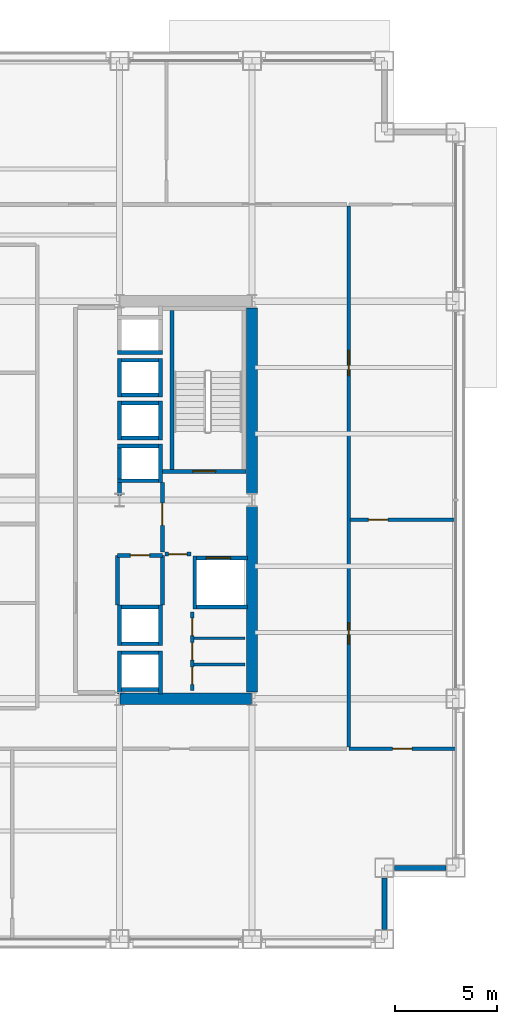
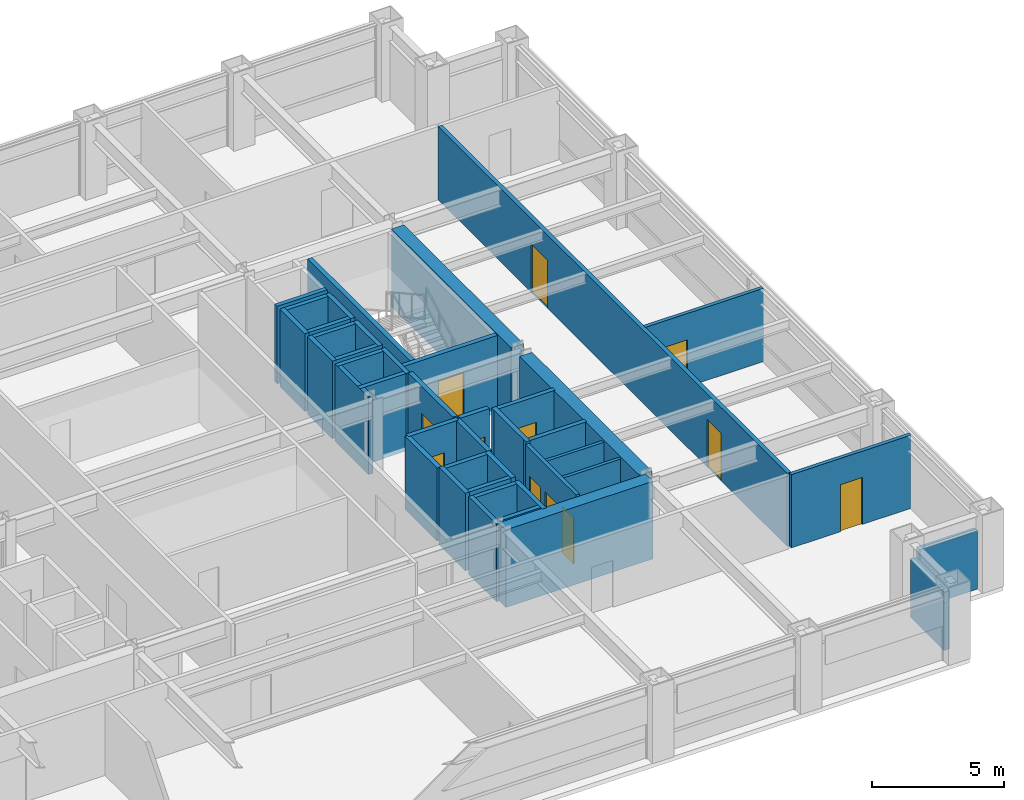
# One storey, part 26 of 28: 42 walls, 12 doors, 12 openings.
"""IFC4 building model written with IfcOpenShell, lengths in metres."""

from ifc_helpers import new_model, si_unit, direction, frame, frame_2d, origin, place, context, subcontext, project, spatial, rectangle, extrude, material, layer, layer_set, type_object, element, fill, save


model = new_model("IFC4")

# Units and contexts
model_context = context("Model", 3, precision=1e-05, world=origin(), true_north=direction((0.0, 1.0)))
body_context = subcontext(model_context, "Body", "Model", "MODEL_VIEW")
ifc_project = project(units=[si_unit("LENGTHUNIT", "METRE"), si_unit("AREAUNIT", "SQUARE_METRE"), si_unit("VOLUMEUNIT", "CUBIC_METRE"), si_unit("PLANEANGLEUNIT", "RADIAN"), si_unit("MASSUNIT", "GRAM", prefix="KILO")], contexts=[model_context])

# Site, building, storey
site_placement = place(None, origin())
site = spatial("IfcSite", under=ifc_project, at=site_placement, CompositionType="ELEMENT")
building_placement = place(site_placement, origin())
building = spatial("IfcBuilding", under=site, at=building_placement, Name="Brelmoor Portico Tower", CompositionType="ELEMENT")
storey_placement = place(building_placement, frame((0.0, 0.0, 49.199951171875)))
storey = spatial("IfcBuildingStorey", under=building, at=storey_placement, Name="L12", CompositionType="ELEMENT", Elevation=49.199951171875)

# Walls
ifc_material_1 = material(Name="Concrete C60", Category="concrete")
ifc_layer_1 = layer(ifc_material_1, 0.550048828125)
ifc_layer_set_1 = layer_set([ifc_layer_1], Name="Concrete C60")
wall_type_1 = type_object("IfcWallType", Name="WL-CORE-550", PredefinedType="SHEAR", material=ifc_layer_set_1)
wall_1_placement = place(storey_placement, frame((8.070068359375, -9.75, -0.199951171875), z_axis=(0.0, 0.0, 1.0), x_axis=(1.0, 0.0, 0.0)))
element("IfcWall", 1, at=wall_1_placement, inside=storey, type_object=wall_type_1, Name="L12 EC South Shear Wall", PredefinedType="SHEAR", context=body_context, shape_type="SweptSolid", body=[
    extrude(rectangle(XDim=6.4599609375, YDim=0.550048828125, at=frame_2d((3.22998046875, 0.0))), origin(), (0.0, 0.0, 1.0), 3.60009765625),
])
for number, where, z_axis, x_axis, name in (
    (2, (14.550048828125, -9.425048828125, -0.199951171875), (0.0, 0.0, 1.0), (0.0, 1.0, 0.0), "L12 EC Outer South Shear Wall"),
    (3, (14.550048828125, 0.324951171875, -0.199951171875), (0.0, 0.0, 1.0), (0.0, 1.0, 0.0), "L12 EC Outer North Shear Wall"),
):
    element("IfcWall", number, at=place(storey_placement, frame(where, z_axis=z_axis, x_axis=x_axis)), inside=storey, type_object=wall_type_1, Name=name, PredefinedType="SHEAR", context=body_context, shape_type="SweptSolid", body=[
        extrude(rectangle(XDim=9.10009765625, YDim=0.550048828125, at=frame_2d((4.550048828125, 0.0))), origin(), (0.0, 0.0, 1.0), 3.60009765625),
    ])
ifc_material_2 = material(Name="Precast Concrete C40 Insulated Facade Wall", Category="concrete")
ifc_layer_2 = layer(ifc_material_2, 0.25)
ifc_layer_set_2 = layer_set([ifc_layer_2], Name="Precast Concrete C40 Insulated Facade Wall")
wall_type_2 = type_object("IfcWallType", Name="WL-EXT-250", PredefinedType="STANDARD", material=ifc_layer_set_2)
for number, where, z_axis, x_axis, name in (
    (4, (21.534912109375, -18.050048828125, 0.0), (0.0, 0.0, 1.0), (1.0, 0.0, 0.0), "L12 Corner Notch Facade Wall NSEH1"),
    (5, (21.050048828125, -21.06494140625, 0.0), (0.0, 0.0, 1.0), (0.0, 1.0, 0.0), "L12 Corner Notch Facade Wall NSEV1"),
):
    element("IfcWall", number, at=place(storey_placement, frame(where, z_axis=z_axis, x_axis=x_axis)), inside=storey, type_object=wall_type_2, Name=name, PredefinedType="STANDARD", context=body_context, shape_type="SweptSolid", body=[
        extrude(rectangle(XDim=2.530029296875, YDim=0.25, at=frame_2d((1.26513671875, 0.0))), origin(), (0.0, 0.0, 1.0), 2.699951171875),
    ])
ifc_material_3 = material(Name="Insulated Stud Suite Partition", Category="gypsum")
ifc_layer_3 = layer(ifc_material_3, 0.139892578125)
ifc_layer_set_3 = layer_set([ifc_layer_3], Name="Insulated Stud Suite Partition")
wall_type_3 = type_object("IfcWallType", Name="WL-PART-140", PredefinedType="PARTITIONING", material=ifc_layer_set_3)
for number, where, z_axis, x_axis, name in (
    (6, (11.699951171875, -8.066650390625, 0.0), (0.0, 0.0, 1.0), (1.0, 0.0, 0.0), "L12 E Core WC Divider 1"),
    (7, (11.699951171875, -6.783203125, 0.0), (0.0, 0.0, 1.0), (1.0, 0.0, 0.0), "L12 E Core WC Divider 2"),
):
    element("IfcWall", number, at=place(storey_placement, frame(where, z_axis=z_axis, x_axis=x_axis)), inside=storey, type_object=wall_type_3, Name=name, PredefinedType="PARTITIONING", context=body_context, shape_type="SweptSolid", body=[
        extrude(rectangle(XDim=2.5, YDim=0.139892578125, at=frame_2d((1.25, 0.0))), origin(), (0.0, 0.0, 1.0), 3.400146484375),
    ])

# Wall, openings, doors
ifc_material_4 = material(Name="Twin-Frame Acoustic Partition", Category="gypsum")
ifc_layer_4 = layer(ifc_material_4, 0.159912109375)
ifc_layer_set_4 = layer_set([ifc_layer_4], Name="Twin-Frame Acoustic Partition")
wall_type_4 = type_object("IfcWallType", Name="WL-PART-160", PredefinedType="PARTITIONING", material=ifc_layer_set_4)
wall_2_placement = place(storey_placement, frame((11.6201171875, -9.35009765625, 0.0), z_axis=(0.0, 0.0, 1.0), x_axis=(0.0, 1.0, 0.0)))
wall_2 = element("IfcWall", 8, at=wall_2_placement, inside=storey, type_object=wall_type_4, Name="L12 E Core Service Front Wall", PredefinedType="PARTITIONING", context=body_context, shape_type="SweptSolid", body=[
    extrude(rectangle(XDim=3.85009765625, YDim=0.159912109375, at=frame_2d((1.925048828125, 0.0))), origin(), (0.0, 0.0, 1.0), 3.400146484375),
])
opening_1_placement = place(wall_2_placement, frame((0.300048828125, 0.0, 0.0)))
opening_1 = element("IfcOpeningElement", 9, at=opening_1_placement, cuts=wall_2, Name="Opening D-WC1", PredefinedType="OPENING", context=body_context, shape_type="SweptSolid", body=[
    extrude(rectangle(XDim=0.85009765625, YDim=2.1201171875, at=frame_2d((0.425048828125, 1.06005859375))), frame((0.0, 0.08984375, 0.0), z_axis=(0.0, -1.0, 0.0), x_axis=(1.0, 0.0, 0.0)), (0.0, 0.0, 1.0), 0.179931640625),
])
opening_2_placement = place(wall_2_placement, frame((1.5, 0.0, 0.0)))
opening_2 = element("IfcOpeningElement", 10, at=opening_2_placement, cuts=wall_2, Name="Opening D-WC1", PredefinedType="OPENING", context=body_context, shape_type="SweptSolid", body=[
    extrude(rectangle(XDim=0.85009765625, YDim=2.1201171875, at=frame_2d((0.425048828125, 1.06005859375))), frame((0.0, 0.08984375, 0.0), z_axis=(0.0, -1.0, 0.0), x_axis=(1.0, 0.0, 0.0)), (0.0, 0.0, 1.0), 0.179931640625),
])
opening_3_placement = place(wall_2_placement, frame((2.699951171875, 0.0, 0.0)))
opening_3 = element("IfcOpeningElement", 11, at=opening_3_placement, cuts=wall_2, Name="Opening D-WC1", PredefinedType="OPENING", context=body_context, shape_type="SweptSolid", body=[
    extrude(rectangle(XDim=0.85009765625, YDim=2.1201171875, at=frame_2d((0.425048828125, 1.06005859375))), frame((0.0, 0.08984375, 0.0), z_axis=(0.0, -1.0, 0.0), x_axis=(1.0, 0.0, 0.0)), (0.0, 0.0, 1.0), 0.179931640625),
])
ifc_material_5 = material(Name="Moisture-Resistant Laminate WC Door", Category="timber")
door_type_1 = type_object("IfcDoorType", Name="DR-WC-850", OperationType="NOTDEFINED", PredefinedType="DOOR", material=ifc_material_5)
door_1_placement = place(opening_1_placement, origin())
door_1 = element("IfcDoor", 12, at=door_1_placement, inside=storey, type_object=door_type_1, Name="D-0531 L12 E Male WC Door", OperationType="SINGLE_SWING_RIGHT", OverallHeight=2.1201171875, OverallWidth=0.85009765625, PredefinedType="DOOR", context=body_context, shape_type="SweptSolid", body=[
    extrude(rectangle(XDim=0.85009765625, YDim=2.1201171875, at=frame_2d((0.425048828125, 1.06005859375))), frame((0.0, 0.02490234375, 0.0), z_axis=(0.0, -1.0, 0.0), x_axis=(1.0, 0.0, 0.0)), (0.0, 0.0, 1.0), 0.050048828125),
])
fill(opening_1, door_1)
door_2_placement = place(opening_2_placement, origin())
door_2 = element("IfcDoor", 13, at=door_2_placement, inside=storey, type_object=door_type_1, Name="D-0532 L12 E Female WC Door", OperationType="SINGLE_SWING_LEFT", OverallHeight=2.1201171875, OverallWidth=0.85009765625, PredefinedType="DOOR", context=body_context, shape_type="SweptSolid", body=[
    extrude(rectangle(XDim=0.85009765625, YDim=2.1201171875, at=frame_2d((0.425048828125, 1.06005859375))), frame((0.0, 0.02490234375, 0.0), z_axis=(0.0, -1.0, 0.0), x_axis=(1.0, 0.0, 0.0)), (0.0, 0.0, 1.0), 0.050048828125),
])
fill(opening_2, door_2)
door_3_placement = place(opening_3_placement, origin())
door_3 = element("IfcDoor", 14, at=door_3_placement, inside=storey, type_object=door_type_1, Name="D-0533 L12 E Janitor Store Door", OperationType="SINGLE_SWING_RIGHT", OverallHeight=2.1201171875, OverallWidth=0.85009765625, PredefinedType="DOOR", context=body_context, shape_type="SweptSolid", body=[
    extrude(rectangle(XDim=0.85009765625, YDim=2.1201171875, at=frame_2d((0.425048828125, 1.06005859375))), frame((0.0, 0.02490234375, 0.0), z_axis=(0.0, -1.0, 0.0), x_axis=(1.0, 0.0, 0.0)), (0.0, 0.0, 1.0), 0.050048828125),
])
fill(opening_3, door_3)

# Wall, opening, door
wall_3_placement = place(storey_placement, frame((19.300048828125, -12.199951171875, 0.0), z_axis=(0.0, 0.0, 1.0), x_axis=(1.0, 0.0, 0.0)))
wall_3 = element("IfcWall", 15, at=wall_3_placement, inside=storey, type_object=wall_type_4, Name="L12 South Outer Closure ER", PredefinedType="PARTITIONING", context=body_context, shape_type="SweptSolid", body=[
    extrude(rectangle(XDim=5.260009765625, YDim=0.159912109375, at=frame_2d((2.6298828125, 0.0))), origin(), (0.0, 0.0, 1.0), 3.400146484375),
])
opening_4_placement = place(wall_3_placement, frame((2.14990234375, 0.0, 0.0)))
opening_4 = element("IfcOpeningElement", 16, at=opening_4_placement, cuts=wall_3, Name="Opening D-IN2", PredefinedType="OPENING", context=body_context, shape_type="SweptSolid", body=[
    extrude(rectangle(XDim=0.9599609375, YDim=2.179931640625, at=frame_2d((0.47998046875, 1.08984375))), frame((0.0, 0.08984375, 0.0), z_axis=(0.0, -1.0, 0.0), x_axis=(1.0, 0.0, 0.0)), (0.0, 0.0, 1.0), 0.179931640625),
])
ifc_material_6 = material(Name="Lacquered Timber Suite Door", Category="wood")
door_type_2 = type_object("IfcDoorType", Name="DR-INT-950", OperationType="NOTDEFINED", PredefinedType="DOOR", material=ifc_material_6)
door_4_placement = place(opening_4_placement, origin())
door_4 = element("IfcDoor", 17, at=door_4_placement, inside=storey, type_object=door_type_2, Name="D-0559 L12 ER South Corner Suite Door", OperationType="SINGLE_SWING_RIGHT", OverallHeight=2.179931640625, OverallWidth=0.9599609375, PredefinedType="DOOR", context=body_context, shape_type="SweptSolid", body=[
    extrude(rectangle(XDim=0.9599609375, YDim=2.179931640625, at=frame_2d((0.47998046875, 1.08984375))), frame((0.0, 0.02490234375, 0.0), z_axis=(0.0, -1.0, 0.0), x_axis=(1.0, 0.0, 0.0)), (0.0, 0.0, 1.0), 0.050048828125),
])
fill(opening_4, door_4)

wall_4_placement = place(storey_placement, frame((19.360107421875, -0.97314453125, 0.0), z_axis=(0.0, 0.0, 1.0), x_axis=(1.0, 0.0, 0.0)))
wall_4 = element("IfcWall", 18, at=wall_4_placement, inside=storey, type_object=wall_type_4, Name="L12 E Wing Partition 1", PredefinedType="PARTITIONING", context=body_context, shape_type="SweptSolid", body=[
    extrude(rectangle(XDim=5.199951171875, YDim=0.159912109375, at=frame_2d((2.60009765625, 0.0))), origin(), (0.0, 0.0, 1.0), 3.400146484375),
])
opening_5_placement = place(wall_4_placement, frame((0.89990234375, 0.0, 0.0)))
opening_5 = element("IfcOpeningElement", 19, at=opening_5_placement, cuts=wall_4, Name="Opening D-IN2", PredefinedType="OPENING", context=body_context, shape_type="SweptSolid", body=[
    extrude(rectangle(XDim=0.9599609375, YDim=2.179931640625, at=frame_2d((0.47998046875, 1.08984375))), frame((0.0, 0.08984375, 0.0), z_axis=(0.0, -1.0, 0.0), x_axis=(1.0, 0.0, 0.0)), (0.0, 0.0, 1.0), 0.179931640625),
])
door_5_placement = place(opening_5_placement, origin())
door_5 = element("IfcDoor", 20, at=door_5_placement, inside=storey, type_object=door_type_2, Name="D-0563 L12 E Wing Suite Connecting Door 1", OperationType="SINGLE_SWING_LEFT", OverallHeight=2.179931640625, OverallWidth=0.9599609375, PredefinedType="DOOR", context=body_context, shape_type="SweptSolid", body=[
    extrude(rectangle(XDim=0.9599609375, YDim=2.179931640625, at=frame_2d((0.47998046875, 1.08984375))), frame((0.0, 0.02490234375, 0.0), z_axis=(0.0, -1.0, 0.0), x_axis=(1.0, 0.0, 0.0)), (0.0, 0.0, 1.0), 0.050048828125),
])
fill(opening_5, door_5)

# Wall, openings, doors
ifc_material_7 = material(Name="Acoustic Corridor Fire Partition", Category="gypsum")
ifc_layer_5 = layer(ifc_material_7, 0.179931640625)
ifc_layer_set_5 = layer_set([ifc_layer_5], Name="Acoustic Corridor Fire Partition")
wall_type_5 = type_object("IfcWallType", Name="WL-PART-180", PredefinedType="PARTITIONING", material=ifc_layer_set_5)
wall_5_placement = place(storey_placement, frame((19.300048828125, -12.1201171875, 0.0), z_axis=(0.0, 0.0, 1.0), x_axis=(0.0, 1.0, 0.0)))
wall_5 = element("IfcWall", 21, at=wall_5_placement, inside=storey, type_object=wall_type_5, Name="L12 E Wing Corridor Wall", PredefinedType="PARTITIONING", context=body_context, shape_type="SweptSolid", body=[
    extrude(rectangle(XDim=26.5400390625, YDim=0.179931640625, at=frame_2d((13.27001953125, 0.0))), origin(), (0.0, 0.0, 1.0), 3.400146484375),
])
opening_6_placement = place(wall_5_placement, frame((5.04345703125, 0.0, 0.0)))
opening_6 = element("IfcOpeningElement", 22, at=opening_6_placement, cuts=wall_5, Name="Opening D-OF2", PredefinedType="OPENING", context=body_context, shape_type="SweptSolid", body=[
    extrude(rectangle(XDim=1.06005859375, YDim=2.199951171875, at=frame_2d((0.530029296875, 1.10009765625))), frame((0.0, 0.099853515625, 0.0), z_axis=(0.0, -1.0, 0.0), x_axis=(1.0, 0.0, 0.0)), (0.0, 0.0, 1.0), 0.199951171875),
])
opening_7_placement = place(wall_5_placement, frame((18.223388671875, 0.0, 0.0)))
opening_7 = element("IfcOpeningElement", 23, at=opening_7_placement, cuts=wall_5, Name="Opening D-SU1", PredefinedType="OPENING", context=body_context, shape_type="SweptSolid", body=[
    extrude(rectangle(XDim=1.239990234375, YDim=2.239990234375, at=frame_2d((0.6201171875, 1.1201171875))), frame((0.0, 0.099853515625, 0.0), z_axis=(0.0, -1.0, 0.0), x_axis=(1.0, 0.0, 0.0)), (0.0, 0.0, 1.0), 0.199951171875),
])
ifc_material_8 = material(Name="Hardwood Acoustic Veneer Door", Category="wood")
door_type_3 = type_object("IfcDoorType", Name="DR-OFFICE-1050", OperationType="NOTDEFINED", PredefinedType="DOOR", material=ifc_material_8)
door_6_placement = place(opening_6_placement, origin())
door_6 = element("IfcDoor", 24, at=door_6_placement, inside=storey, type_object=door_type_3, Name="D-0561 L12 E Executive Study 1 Door", OperationType="SINGLE_SWING_RIGHT", OverallHeight=2.199951171875, OverallWidth=1.06005859375, PredefinedType="DOOR", context=body_context, shape_type="SweptSolid", body=[
    extrude(rectangle(XDim=1.06005859375, YDim=2.199951171875, at=frame_2d((0.530029296875, 1.10009765625))), frame((0.0, 0.02490234375, 0.0), z_axis=(0.0, -1.0, 0.0), x_axis=(1.0, 0.0, 0.0)), (0.0, 0.0, 1.0), 0.050048828125),
])
fill(opening_6, door_6)
ifc_material_9 = material(Name="Glazed Timber Executive Suite Door", Category="wood")
door_type_4 = type_object("IfcDoorType", Name="DR-SUITE-1200", OperationType="NOTDEFINED", PredefinedType="DOOR", material=ifc_material_9)
door_7_placement = place(opening_7_placement, origin())
door_7 = element("IfcDoor", 25, at=door_7_placement, inside=storey, type_object=door_type_4, Name="D-0562 L12 E Partner Office 2 Door", OperationType="SINGLE_SWING_LEFT", OverallHeight=2.239990234375, OverallWidth=1.239990234375, PredefinedType="DOOR", context=body_context, shape_type="SweptSolid", body=[
    extrude(rectangle(XDim=1.239990234375, YDim=2.239990234375, at=frame_2d((0.6201171875, 1.1201171875))), frame((0.0, 0.02490234375, 0.0), z_axis=(0.0, -1.0, 0.0), x_axis=(1.0, 0.0, 0.0)), (0.0, 0.0, 1.0), 0.050048828125),
])
fill(opening_7, door_7)

# Wall, opening, door
ifc_material_10 = material(Name="Double-Stud Gypsum Fire Partition", Category="gypsum")
ifc_layer_6 = layer(ifc_material_10, 0.199951171875)
ifc_layer_set_6 = layer_set([ifc_layer_6], Name="Double-Stud Gypsum Fire Partition")
wall_type_6 = type_object("IfcWallType", Name="WL-PART-200", PredefinedType="PARTITIONING", material=ifc_layer_set_6)
wall_6_placement = place(storey_placement, frame((10.159912109375, -2.550048828125, 0.0), z_axis=(0.0, 0.0, 1.0), x_axis=(0.0, 1.0, 0.0)))
wall_6 = element("IfcWall", 26, at=wall_6_placement, inside=storey, type_object=wall_type_6, Name="L12 E Firefighting Lobby Wall", PredefinedType="PARTITIONING", context=body_context, shape_type="SweptSolid", body=[
    extrude(rectangle(XDim=3.400146484375, YDim=0.199951171875, at=frame_2d((1.7001953125, 0.0))), origin(), (0.0, 0.0, 1.0), 3.400146484375),
])
opening_8_placement = place(wall_6_placement, frame((1.300048828125, 0.0, 0.0)))
opening_8 = element("IfcOpeningElement", 27, at=opening_8_placement, cuts=wall_6, Name="Opening D-FR1", PredefinedType="OPENING", context=body_context, shape_type="SweptSolid", body=[
    extrude(rectangle(XDim=1.10009765625, YDim=2.14990234375, at=frame_2d((0.550048828125, 1.074951171875))), frame((0.0, 0.10986328125, 0.0), z_axis=(0.0, -1.0, 0.0), x_axis=(1.0, 0.0, 0.0)), (0.0, 0.0, 1.0), 0.219970703125),
])
ifc_material_11 = material(Name="Painted Galvanised Steel Fire Door", Category="steel")
door_type_5 = type_object("IfcDoorType", Name="DR-FIRE-1100", OperationType="NOTDEFINED", PredefinedType="DOOR", material=ifc_material_11)
door_8_placement = place(opening_8_placement, origin())
door_8 = element("IfcDoor", 28, at=door_8_placement, inside=storey, type_object=door_type_5, Name="D-0539 L12 E Firefighting Lobby Door", OperationType="SINGLE_SWING_LEFT", OverallHeight=2.14990234375, OverallWidth=1.10009765625, PredefinedType="DOOR", context=body_context, shape_type="SweptSolid", body=[
    extrude(rectangle(XDim=1.10009765625, YDim=2.14990234375, at=frame_2d((0.550048828125, 1.074951171875))), frame((0.0, 0.02490234375, 0.0), z_axis=(0.0, -1.0, 0.0), x_axis=(1.0, 0.0, 0.0)), (0.0, 0.0, 1.0), 0.050048828125),
])
fill(opening_8, door_8)

wall_7_placement = place(storey_placement, frame((10.280029296875, -2.64990234375, 0.0), z_axis=(0.0, 0.0, 1.0), x_axis=(1.0, 0.0, 0.0)))
wall_7 = element("IfcWall", 29, at=wall_7_placement, inside=storey, type_object=wall_type_6, Name="L12 E Firefighting Lobby South Wall", PredefinedType="PARTITIONING", context=body_context, shape_type="SweptSolid", body=[
    extrude(rectangle(XDim=1.27001953125, YDim=0.199951171875, at=frame_2d((0.635009765625, 0.0))), origin(), (0.0, 0.0, 1.0), 3.400146484375),
])
opening_9_placement = place(wall_7_placement, frame((0.18505859375, 0.0, 0.0)))
opening_9 = element("IfcOpeningElement", 30, at=opening_9_placement, cuts=wall_7, Name="Opening D-IN1", PredefinedType="OPENING", context=body_context, shape_type="SweptSolid", body=[
    extrude(rectangle(XDim=0.89990234375, YDim=2.14990234375, at=frame_2d((0.449951171875, 1.074951171875))), frame((0.0, 0.10986328125, 0.0), z_axis=(0.0, -1.0, 0.0), x_axis=(1.0, 0.0, 0.0)), (0.0, 0.0, 1.0), 0.219970703125),
])
door_type_6 = type_object("IfcDoorType", Name="DR-INT-900", OperationType="NOTDEFINED", PredefinedType="DOOR", material=ifc_material_6)
door_9_placement = place(opening_9_placement, origin())
door_9 = element("IfcDoor", 31, at=door_9_placement, inside=storey, type_object=door_type_6, Name="D-0534 L12 E Core Service Vestibule Door", OperationType="SINGLE_SWING_RIGHT", OverallHeight=2.14990234375, OverallWidth=0.89990234375, PredefinedType="DOOR", context=body_context, shape_type="SweptSolid", body=[
    extrude(rectangle(XDim=0.89990234375, YDim=2.14990234375, at=frame_2d((0.449951171875, 1.074951171875))), frame((0.0, 0.02490234375, 0.0), z_axis=(0.0, -1.0, 0.0), x_axis=(1.0, 0.0, 0.0)), (0.0, 0.0, 1.0), 0.050048828125),
])
fill(opening_9, door_9)

wall_8_placement = place(storey_placement, frame((7.9599609375, -2.719970703125, 0.0), z_axis=(0.0, 0.0, 1.0), x_axis=(1.0, 0.0, 0.0)))
wall_8 = element("IfcWall", 32, at=wall_8_placement, inside=storey, type_object=wall_type_6, Name="L12 E Electrical Switchgear Closet Wall", PredefinedType="PARTITIONING", context=body_context, shape_type="SweptSolid", body=[
    extrude(rectangle(XDim=2.199951171875, YDim=0.199951171875, at=frame_2d((1.10009765625, 0.0))), origin(), (0.0, 0.0, 1.0), 3.400146484375),
])
opening_10_placement = place(wall_8_placement, frame((0.6201171875, 0.0, 0.0)))
opening_10 = element("IfcOpeningElement", 33, at=opening_10_placement, cuts=wall_8, Name="Opening D-FR4", PredefinedType="OPENING", context=body_context, shape_type="SweptSolid", body=[
    extrude(rectangle(XDim=0.949951171875, YDim=2.10009765625, at=frame_2d((0.47509765625, 1.050048828125))), frame((0.0, 0.10986328125, 0.0), z_axis=(0.0, -1.0, 0.0), x_axis=(1.0, 0.0, 0.0)), (0.0, 0.0, 1.0), 0.219970703125),
])
ifc_material_12 = material(Name="Painted Galvanised Steel Riser Door", Category="steel")
door_type_7 = type_object("IfcDoorType", Name="DR-FIRE-950", OperationType="NOTDEFINED", PredefinedType="DOOR", material=ifc_material_12)
door_10_placement = place(opening_10_placement, origin())
door_10 = element("IfcDoor", 34, at=door_10_placement, inside=storey, type_object=door_type_7, Name="D-0537 L12 E Electrical Switchgear Closet Door", OperationType="SINGLE_SWING_LEFT", OverallHeight=2.10009765625, OverallWidth=0.949951171875, PredefinedType="DOOR", context=body_context, shape_type="SweptSolid", body=[
    extrude(rectangle(XDim=0.949951171875, YDim=2.10009765625, at=frame_2d((0.47509765625, 1.050048828125))), frame((0.0, 0.02490234375, 0.0), z_axis=(0.0, -1.0, 0.0), x_axis=(1.0, 0.0, 0.0)), (0.0, 0.0, 1.0), 0.050048828125),
])
fill(opening_10, door_10)

# Walls
for number, where, z_axis, x_axis, name in (
    (35, (7.9599609375, -5.159912109375, 0.0), (0.0, 0.0, 1.0), (0.0, 1.0, 0.0), "L12 E Electrical Switchgear Closet Inner Wall"),
    (36, (10.159912109375, -5.159912109375, 0.0), (0.0, 0.0, 1.0), (0.0, 1.0, 0.0), "L12 E Electrical Switchgear Closet Outer Wall"),
):
    element("IfcWall", number, at=place(storey_placement, frame(where, z_axis=z_axis, x_axis=x_axis)), inside=storey, type_object=wall_type_6, Name=name, PredefinedType="PARTITIONING", context=body_context, shape_type="SweptSolid", body=[
        extrude(rectangle(XDim=2.43994140625, YDim=0.199951171875, at=frame_2d((1.219970703125, 0.0))), origin(), (0.0, 0.0, 1.0), 3.400146484375),
    ])
ifc_material_13 = material(Name="Precast Concrete C40", Category="concrete")
ifc_layer_7 = layer(ifc_material_13, 0.18994140625)
ifc_layer_set_7 = layer_set([ifc_layer_7], Name="Precast Concrete C40")
wall_type_7 = type_object("IfcWallType", Name="WL-SHAFT-180", PredefinedType="SOLIDWALL", material=ifc_layer_set_7)
wall_9_placement = place(storey_placement, frame((8.044921875, 0.2099609375, -0.199951171875), z_axis=(0.0, 0.0, 1.0), x_axis=(0.0, 1.0, 0.0)))
element("IfcWall", 37, at=wall_9_placement, inside=storey, type_object=wall_type_7, Name="L12 Lift PM1 Hoistway Front Wall", PredefinedType="SOLIDWALL", context=body_context, shape_type="SweptSolid", body=[
    extrude(rectangle(XDim=2.5400390625, YDim=0.18994140625, at=frame_2d((1.27001953125, 0.0))), origin(), (0.0, 0.0, 1.0), 3.60009765625),
])
wall_10_placement = place(storey_placement, frame((10.054931640625, 0.85009765625, -0.199951171875), z_axis=(0.0, 0.0, 1.0), x_axis=(0.0, 1.0, 0.0)))
element("IfcWall", 38, at=wall_10_placement, inside=storey, type_object=wall_type_7, Name="L12 Lift PM1 Hoistway Back Wall", PredefinedType="SOLIDWALL", context=body_context, shape_type="SweptSolid", body=[
    extrude(rectangle(XDim=1.89990234375, YDim=0.18994140625, at=frame_2d((0.949951171875, 0.0))), origin(), (0.0, 0.0, 1.0), 3.60009765625),
])
for number, where, z_axis, x_axis, name in (
    (39, (7.949951171875, 2.655029296875, -0.199951171875), (0.0, 0.0, 1.0), (1.0, 0.0, 0.0), "L12 Lift PM1 Hoistway North Wall"),
    (40, (7.949951171875, 0.945068359375, -0.199951171875), (0.0, 0.0, 1.0), (1.0, 0.0, 0.0), "L12 Lift PM1 Hoistway South Wall"),
):
    element("IfcWall", number, at=place(storey_placement, frame(where, z_axis=z_axis, x_axis=x_axis)), inside=storey, type_object=wall_type_7, Name=name, PredefinedType="SOLIDWALL", context=body_context, shape_type="SweptSolid", body=[
        extrude(rectangle(XDim=2.199951171875, YDim=0.18994140625, at=frame_2d((1.10009765625, 0.0))), origin(), (0.0, 0.0, 1.0), 3.60009765625),
    ])
for number, where, z_axis, x_axis, name in (
    (41, (8.044921875, 2.949951171875, -0.199951171875), (0.0, 0.0, 1.0), (0.0, 1.0, 0.0), "L12 Lift PM2 Hoistway Front Wall"),
    (42, (10.054931640625, 2.949951171875, -0.199951171875), (0.0, 0.0, 1.0), (0.0, 1.0, 0.0), "L12 Lift PM2 Hoistway Back Wall"),
):
    element("IfcWall", number, at=place(storey_placement, frame(where, z_axis=z_axis, x_axis=x_axis)), inside=storey, type_object=wall_type_7, Name=name, PredefinedType="SOLIDWALL", context=body_context, shape_type="SweptSolid", body=[
        extrude(rectangle(XDim=1.900146484375, YDim=0.18994140625, at=frame_2d((0.9501953125, 0.0))), origin(), (0.0, 0.0, 1.0), 3.60009765625),
    ])
for number, where, z_axis, x_axis, name in (
    (43, (7.949951171875, 4.7548828125, -0.199951171875), (0.0, 0.0, 1.0), (1.0, 0.0, 0.0), "L12 Lift PM2 Hoistway North Wall"),
    (44, (7.949951171875, 3.044921875, -0.199951171875), (0.0, 0.0, 1.0), (1.0, 0.0, 0.0), "L12 Lift PM2 Hoistway South Wall"),
):
    element("IfcWall", number, at=place(storey_placement, frame(where, z_axis=z_axis, x_axis=x_axis)), inside=storey, type_object=wall_type_7, Name=name, PredefinedType="SOLIDWALL", context=body_context, shape_type="SweptSolid", body=[
        extrude(rectangle(XDim=2.199951171875, YDim=0.18994140625, at=frame_2d((1.10009765625, 0.0))), origin(), (0.0, 0.0, 1.0), 3.60009765625),
    ])
for number, where, z_axis, x_axis, name in (
    (45, (8.044921875, 5.050048828125, -0.199951171875), (0.0, 0.0, 1.0), (0.0, 1.0, 0.0), "L12 Lift PM3 Hoistway Front Wall"),
    (46, (10.054931640625, 5.050048828125, -0.199951171875), (0.0, 0.0, 1.0), (0.0, 1.0, 0.0), "L12 Lift PM3 Hoistway Back Wall"),
):
    element("IfcWall", number, at=place(storey_placement, frame(where, z_axis=z_axis, x_axis=x_axis)), inside=storey, type_object=wall_type_7, Name=name, PredefinedType="SOLIDWALL", context=body_context, shape_type="SweptSolid", body=[
        extrude(rectangle(XDim=1.89990234375, YDim=0.18994140625, at=frame_2d((0.949951171875, 0.0))), origin(), (0.0, 0.0, 1.0), 3.60009765625),
    ])
for number, where, z_axis, x_axis, name in (
    (47, (7.949951171875, 6.85498046875, -0.199951171875), (0.0, 0.0, 1.0), (1.0, 0.0, 0.0), "L12 Lift PM3 Hoistway North Wall"),
    (48, (7.949951171875, 5.14501953125, -0.199951171875), (0.0, 0.0, 1.0), (1.0, 0.0, 0.0), "L12 Lift PM3 Hoistway South Wall"),
    (49, (7.949951171875, 7.2451171875, -0.199951171875), (0.0, 0.0, 1.0), (1.0, 0.0, 0.0), "L12 Lift PM4 Hoistway South Wall"),
):
    element("IfcWall", number, at=place(storey_placement, frame(where, z_axis=z_axis, x_axis=x_axis)), inside=storey, type_object=wall_type_7, Name=name, PredefinedType="SOLIDWALL", context=body_context, shape_type="SweptSolid", body=[
        extrude(rectangle(XDim=2.199951171875, YDim=0.18994140625, at=frame_2d((1.10009765625, 0.0))), origin(), (0.0, 0.0, 1.0), 3.60009765625),
    ])
for number, where, z_axis, x_axis, name in (
    (50, (8.044921875, -9.52001953125, -0.199951171875), (0.0, 0.0, 1.0), (0.0, 1.0, 0.0), "L12 Lift PH3 Hoistway Front Wall"),
    (51, (10.054931640625, -9.52001953125, -0.199951171875), (0.0, 0.0, 1.0), (0.0, 1.0, 0.0), "L12 Lift PH3 Hoistway Back Wall"),
):
    element("IfcWall", number, at=place(storey_placement, frame(where, z_axis=z_axis, x_axis=x_axis)), inside=storey, type_object=wall_type_7, Name=name, PredefinedType="SOLIDWALL", context=body_context, shape_type="SweptSolid", body=[
        extrude(rectangle(XDim=2.1201171875, YDim=0.18994140625, at=frame_2d((1.06005859375, 0.0))), origin(), (0.0, 0.0, 1.0), 3.60009765625),
    ])
for number, where, z_axis, x_axis, name in (
    (52, (7.949951171875, -7.4951171875, -0.199951171875), (0.0, 0.0, 1.0), (1.0, 0.0, 0.0), "L12 Lift PH3 Hoistway North Wall"),
    (53, (7.949951171875, -9.304931640625, -0.199951171875), (0.0, 0.0, 1.0), (1.0, 0.0, 0.0), "L12 Lift PH3 Hoistway South Wall"),
):
    element("IfcWall", number, at=place(storey_placement, frame(where, z_axis=z_axis, x_axis=x_axis)), inside=storey, type_object=wall_type_7, Name=name, PredefinedType="SOLIDWALL", context=body_context, shape_type="SweptSolid", body=[
        extrude(rectangle(XDim=2.199951171875, YDim=0.18994140625, at=frame_2d((1.10009765625, 0.0))), origin(), (0.0, 0.0, 1.0), 3.60009765625),
    ])
for number, where, z_axis, x_axis, name in (
    (54, (8.044921875, -7.14990234375, -0.199951171875), (0.0, 0.0, 1.0), (0.0, 1.0, 0.0), "L12 Lift PH4 Hoistway Front Wall"),
    (55, (10.054931640625, -7.14990234375, -0.199951171875), (0.0, 0.0, 1.0), (0.0, 1.0, 0.0), "L12 Lift PH4 Hoistway Back Wall"),
):
    element("IfcWall", number, at=place(storey_placement, frame(where, z_axis=z_axis, x_axis=x_axis)), inside=storey, type_object=wall_type_7, Name=name, PredefinedType="SOLIDWALL", context=body_context, shape_type="SweptSolid", body=[
        extrude(rectangle(XDim=2.0, YDim=0.18994140625, at=frame_2d((1.0, 0.0))), origin(), (0.0, 0.0, 1.0), 3.60009765625),
    ])
for number, where, z_axis, x_axis, name in (
    (56, (7.949951171875, -5.2451171875, -0.199951171875), (0.0, 0.0, 1.0), (1.0, 0.0, 0.0), "L12 Lift PH4 Hoistway North Wall"),
    (57, (7.949951171875, -7.054931640625, -0.199951171875), (0.0, 0.0, 1.0), (1.0, 0.0, 0.0), "L12 Lift PH4 Hoistway South Wall"),
):
    element("IfcWall", number, at=place(storey_placement, frame(where, z_axis=z_axis, x_axis=x_axis)), inside=storey, type_object=wall_type_7, Name=name, PredefinedType="SOLIDWALL", context=body_context, shape_type="SweptSolid", body=[
        extrude(rectangle(XDim=2.199951171875, YDim=0.18994140625, at=frame_2d((1.10009765625, 0.0))), origin(), (0.0, 0.0, 1.0), 3.60009765625),
    ])

# Wall, opening, door
wall_11_placement = place(storey_placement, frame((11.64990234375, -2.844970703125, -0.199951171875), z_axis=(0.0, 0.0, 1.0), x_axis=(1.0, 0.0, 0.0)))
wall_11 = element("IfcWall", 58, at=wall_11_placement, inside=storey, type_object=wall_type_7, Name="L12 Lift FF2 Hoistway Front Wall", PredefinedType="SOLIDWALL", context=body_context, shape_type="SweptSolid", body=[
    extrude(rectangle(XDim=2.68017578125, YDim=0.18994140625, at=frame_2d((1.340087890625, 0.0))), origin(), (0.0, 0.0, 1.0), 3.60009765625),
])
opening_11_placement = place(wall_11_placement, frame((0.64990234375, 0.0, 0.199951171875)))
opening_11 = element("IfcOpeningElement", 59, at=opening_11_placement, cuts=wall_11, Name="Opening LD-02", PredefinedType="OPENING", context=body_context, shape_type="SweptSolid", body=[
    extrude(rectangle(XDim=1.199951171875, YDim=2.199951171875, at=frame_2d((0.60009765625, 1.10009765625))), frame((0.0, 0.10498046875, 0.0), z_axis=(0.0, -1.0, 0.0), x_axis=(1.0, 0.0, 0.0)), (0.0, 0.0, 1.0), 0.2099609375),
])
ifc_material_14 = material(Name="Brushed Stainless Steel Firefighting Lift Door", Category="steel")
door_type_8 = type_object("IfcDoorType", Name="DR-LIFT-1200", OperationType="NOTDEFINED", PredefinedType="DOOR", material=ifc_material_14)
door_11_placement = place(opening_11_placement, origin())
door_11 = element("IfcDoor", 60, at=door_11_placement, inside=storey, type_object=door_type_8, Name="D-0570 L12 Lift FF2 Sliding Landing Door", OperationType="SLIDING_TO_LEFT", OverallHeight=2.199951171875, OverallWidth=1.199951171875, PredefinedType="DOOR", context=body_context, shape_type="SweptSolid", body=[
    extrude(rectangle(XDim=1.199951171875, YDim=2.199951171875, at=frame_2d((0.60009765625, 1.10009765625))), frame((0.0, 0.02490234375, 0.0), z_axis=(0.0, -1.0, 0.0), x_axis=(1.0, 0.0, 0.0)), (0.0, 0.0, 1.0), 0.050048828125),
])
fill(opening_11, door_11)

# Walls
wall_12_placement = place(storey_placement, frame((11.64990234375, -5.2548828125, -0.199951171875), z_axis=(0.0, 0.0, 1.0), x_axis=(1.0, 0.0, 0.0)))
element("IfcWall", 61, at=wall_12_placement, inside=storey, type_object=wall_type_7, Name="L12 Firefighting Lift FF2 South Wall", PredefinedType="SOLIDWALL", context=body_context, shape_type="SweptSolid", body=[
    extrude(rectangle(XDim=2.68017578125, YDim=0.18994140625, at=frame_2d((1.340087890625, 0.0))), origin(), (0.0, 0.0, 1.0), 3.60009765625),
])
wall_13_placement = place(storey_placement, frame((11.7451171875, -5.35009765625, -0.199951171875), z_axis=(0.0, 0.0, 1.0), x_axis=(0.0, 1.0, 0.0)))
element("IfcWall", 62, at=wall_13_placement, inside=storey, type_object=wall_type_7, Name="L12 Firefighting Lift FF2 Inner Wall", PredefinedType="SOLIDWALL", context=body_context, shape_type="SweptSolid", body=[
    extrude(rectangle(XDim=2.60009765625, YDim=0.18994140625, at=frame_2d((1.300048828125, 0.0))), origin(), (0.0, 0.0, 1.0), 3.60009765625),
])

# Wall, opening, door
ifc_material_15 = material(Name="Concrete C40", Category="concrete")
ifc_layer_8 = layer(ifc_material_15, 0.199951171875)
ifc_layer_set_8 = layer_set([ifc_layer_8], Name="Concrete C40")
wall_type_8 = type_object("IfcWallType", Name="WL-SHAFT-RC200", PredefinedType="SOLIDWALL", material=ifc_layer_set_8)
wall_14_placement = place(storey_placement, frame((10.14990234375, 1.39990234375, -0.199951171875), z_axis=(0.0, 0.0, 1.0), x_axis=(1.0, 0.0, 0.0)))
wall_14 = element("IfcWall", 63, at=wall_14_placement, inside=storey, type_object=wall_type_8, Name="L12 ST-E Structural Stair Wall S", PredefinedType="SOLIDWALL", context=body_context, shape_type="SweptSolid", body=[
    extrude(rectangle(XDim=4.10009765625, YDim=0.199951171875, at=frame_2d((2.050048828125, 0.0))), origin(), (0.0, 0.0, 1.0), 3.60009765625),
])
opening_12_placement = place(wall_14_placement, frame((1.5, 0.0, 0.199951171875)))
opening_12 = element("IfcOpeningElement", 64, at=opening_12_placement, cuts=wall_14, Name="Opening D-ST1", PredefinedType="OPENING", context=body_context, shape_type="SweptSolid", body=[
    extrude(rectangle(XDim=1.1201171875, YDim=2.179931640625, at=frame_2d((0.56005859375, 1.08984375))), frame((0.0, 0.10986328125, 0.0), z_axis=(0.0, -1.0, 0.0), x_axis=(1.0, 0.0, 0.0)), (0.0, 0.0, 1.0), 0.219970703125),
])
door_type_9 = type_object("IfcDoorType", Name="DR-STAIR-1100", OperationType="NOTDEFINED", PredefinedType="DOOR", material=ifc_material_11)
door_12_placement = place(opening_12_placement, origin())
door_12 = element("IfcDoor", 65, at=door_12_placement, inside=storey, type_object=door_type_9, Name="D-0557 L12 ST-E Protected Exit Stair Door", OperationType="SINGLE_SWING_RIGHT", OverallHeight=2.179931640625, OverallWidth=1.1201171875, PredefinedType="DOOR", context=body_context, shape_type="SweptSolid", body=[
    extrude(rectangle(XDim=1.1201171875, YDim=2.179931640625, at=frame_2d((0.56005859375, 1.08984375))), frame((0.0, 0.02490234375, 0.0), z_axis=(0.0, -1.0, 0.0), x_axis=(1.0, 0.0, 0.0)), (0.0, 0.0, 1.0), 0.050048828125),
])
fill(opening_12, door_12)

# Wall
wall_15_placement = place(storey_placement, frame((10.6298828125, 1.5, -0.199951171875), z_axis=(0.0, 0.0, 1.0), x_axis=(0.0, 1.0, 0.0)))
element("IfcWall", 66, at=wall_15_placement, inside=storey, type_object=wall_type_8, Name="L12 ST-E Structural Stair Wall Inner", PredefinedType="SOLIDWALL", context=body_context, shape_type="SweptSolid", body=[
    extrude(rectangle(XDim=7.800048828125, YDim=0.199951171875, at=frame_2d((3.89990234375, 0.0))), origin(), (0.0, 0.0, 1.0), 3.60009765625),
])

save(model, "model.ifc")
